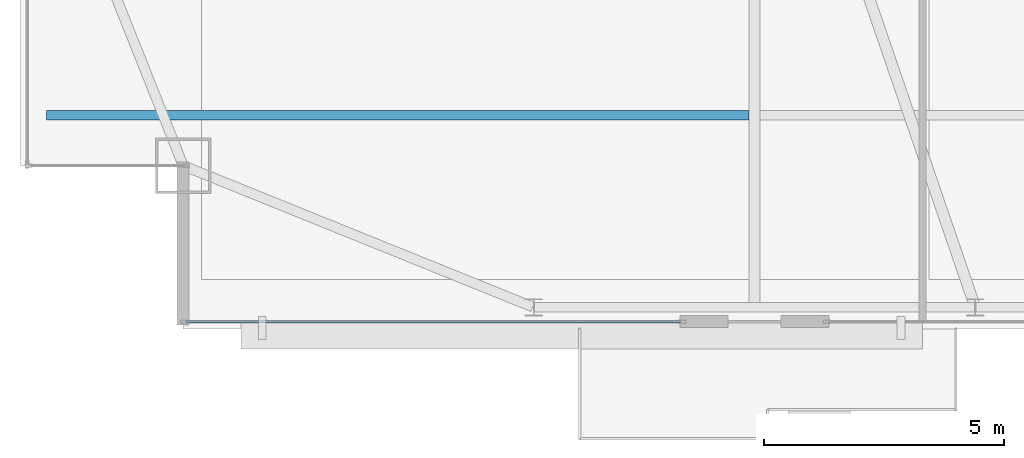
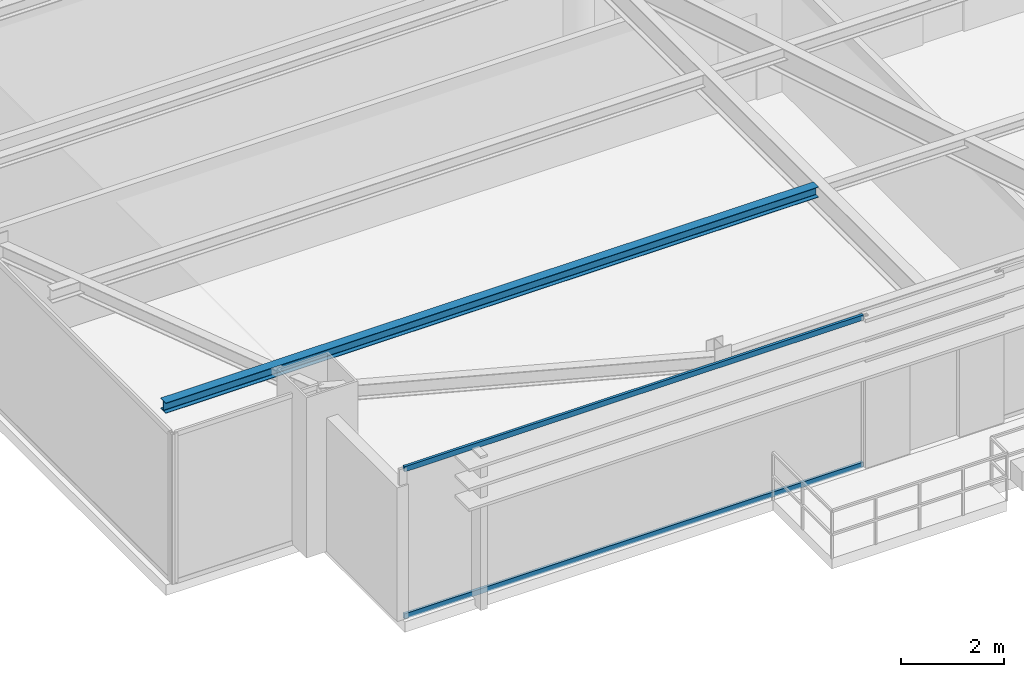
# One storey, part 5 of 30: 2 members, 1 beam, 1 element without a shape of its own.
"""IFC4 building model written with IfcOpenShell, lengths in metres."""

from ifc_helpers import new_model, si_unit, direction, frame, origin, origin_2d, place, context, subcontext, project, spatial, hollow_rectangle, i_section, extrude, source, transform, mapped, material, layer, layer_set, material_profile, profile_set, type_object, type_shapes, element, aggregate, save


model = new_model("IFC4")

# Units and contexts
model_context = context("Model", 3, precision=1e-05, world=origin(), true_north=direction((0.0, 1.0)))
body_context = subcontext(model_context, "Body", "Model", "MODEL_VIEW")
ifc_project = project(units=[si_unit("LENGTHUNIT", "METRE"), si_unit("AREAUNIT", "SQUARE_METRE"), si_unit("VOLUMEUNIT", "CUBIC_METRE"), si_unit("PLANEANGLEUNIT", "RADIAN"), si_unit("MASSUNIT", "GRAM", prefix="KILO")], contexts=[model_context])

# Site, building, storey
site_placement = place(None, origin())
site = spatial("IfcSite", under=ifc_project, at=site_placement, CompositionType="ELEMENT")
building_placement = place(site_placement, origin())
building = spatial("IfcBuilding", under=site, at=building_placement, Name="Varnel Quay Broadcast Tower", CompositionType="ELEMENT")
storey_placement = place(building_placement, frame((0.0, 0.0, 247.0)))
storey = spatial("IfcBuildingStorey", under=building, at=storey_placement, Name="L61", CompositionType="ELEMENT", Elevation=247.0)

# Beam
ifc_material_1 = material(Name="Structural Steel CSA G40.21 350W", Category="steel")
ifc_material_profile_1 = material_profile(ifc_material_1, i_section(OverallWidth=0.201904296875, OverallDepth=0.2470703125, WebThickness=0.00732421875, FlangeThickness=0.010986328125, FilletRadius=0.010986328125, at=origin_2d()), Name="W250X49")
ifc_profile_set_1 = profile_set([ifc_material_profile_1], Name="Structural Steel CSA G40.21 350W")
beam_type = type_object("IfcBeamType", Name="Beam_W250X49", PredefinedType="JOIST", material=ifc_profile_set_1)
shared_shape_1 = source(origin(), body_context, "Body", "SweptSolid", [
    extrude(i_section(OverallWidth=0.201904296875, OverallDepth=0.2470703125, WebThickness=0.00732421875, FlangeThickness=0.010986328125, FilletRadius=0.010986328125, at=origin_2d()), origin(), (0.0, 0.0, 1.0), 14.642333984375),
])
type_shapes(beam_type, [shared_shape_1])
beam_placement = place(storey_placement, frame((10.047607421875, 14.64990234375, 3.426513671875), z_axis=(1.0, 0.0, 0.0), x_axis=(0.0, 1.0, 0.0)))
element("IfcBeam", 1, at=beam_placement, inside=storey, type_object=beam_type, Name="L61 West Floor Joist 1", PredefinedType="JOIST", context=body_context, shape_type="MappedRepresentation", body=[
    mapped(shared_shape_1, transform((0.0, 0.0, 0.0), x_axis=(1.0, 0.0, 0.0), y_axis=(0.0, 1.0, 0.0), z_axis=(0.0, 0.0, 1.0), scale=1.0)),
])

# Curtain wall, members
ifc_material_2 = material(Name="Anodised Bronze Aluminium 6063-T6", Category="aluminium")
ifc_layer = layer(ifc_material_2, 0.18994140625, Name="Anodised Bronze Aluminium 6063-T6")
ifc_layer_set = layer_set([ifc_layer], Name="Anodised Bronze Aluminium 6063-T6")
curtain_wall_type = type_object("IfcCurtainWallType", Name="CW_UpperTower", PredefinedType="NOTDEFINED", material=ifc_layer_set)
curtain_wall_placement = place(storey_placement, origin())
curtain_wall = element("IfcCurtainWall", 2, at=curtain_wall_placement, inside=storey, type_object=curtain_wall_type, Name="L61 South Unitised Curtain Wall 1", PredefinedType="NOTDEFINED")
ifc_material_profile_2 = material_profile(ifc_material_2, hollow_rectangle(XDim=0.06005859375, YDim=0.125, WallThickness=0.0029296875, at=origin_2d()), Name="ALU60X125X3")
ifc_profile_set_2 = profile_set([ifc_material_profile_2], Name="Anodised Bronze Aluminium 6063-T6")
member_type = type_object("IfcMemberType", Name="Tran_CWS-03", PredefinedType="USERDEFINED", material=ifc_profile_set_2)
shared_shape_2 = source(origin(), body_context, "Body", "SweptSolid", [
    extrude(hollow_rectangle(XDim=0.06005859375, YDim=0.125, WallThickness=0.0029296875, at=origin_2d()), origin(), (0.0, 0.0, 1.0), 10.289794921875),
])
type_shapes(member_type, [shared_shape_2])
member_1_placement = place(storey_placement, frame((12.965087890625, 10.35009765625, 0.030029296875), z_axis=(1.0, 0.0, 0.0), x_axis=(0.0, 1.0, 0.0)))
member_1 = element("IfcMember", 3, at=member_1_placement, type_object=member_type, Name="CWS-03 transom 1.1", ObjectType="TRANSOM", PredefinedType="USERDEFINED", context=body_context, shape_type="MappedRepresentation", body=[
    mapped(shared_shape_2, transform((0.0, 0.0, 0.0), x_axis=(1.0, 0.0, 0.0), y_axis=(0.0, 1.0, 0.0), z_axis=(0.0, 0.0, 1.0), scale=1.0)),
])
member_2_placement = place(storey_placement, frame((12.965087890625, 10.35009765625, 3.52001953125), z_axis=(1.0, 0.0, 0.0), x_axis=(0.0, 1.0, 0.0)))
member_2 = element("IfcMember", 4, at=member_2_placement, type_object=member_type, Name="CWS-03 transom 1.2", ObjectType="TRANSOM", PredefinedType="USERDEFINED", context=body_context, shape_type="MappedRepresentation", body=[
    mapped(shared_shape_2, transform((0.0, 0.0, 0.0), x_axis=(1.0, 0.0, 0.0), y_axis=(0.0, 1.0, 0.0), z_axis=(0.0, 0.0, 1.0), scale=1.0)),
])
aggregate(curtain_wall, [member_1, member_2])

save(model, "model.ifc")
